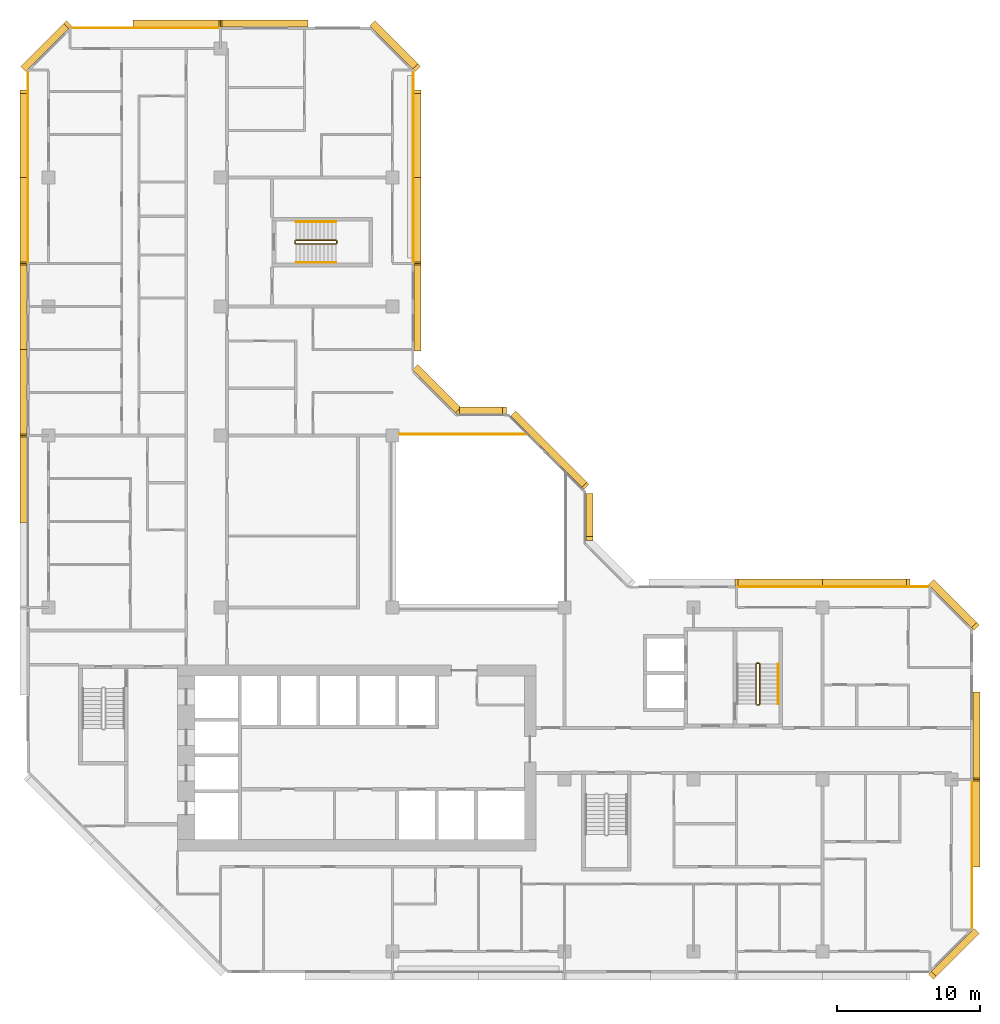
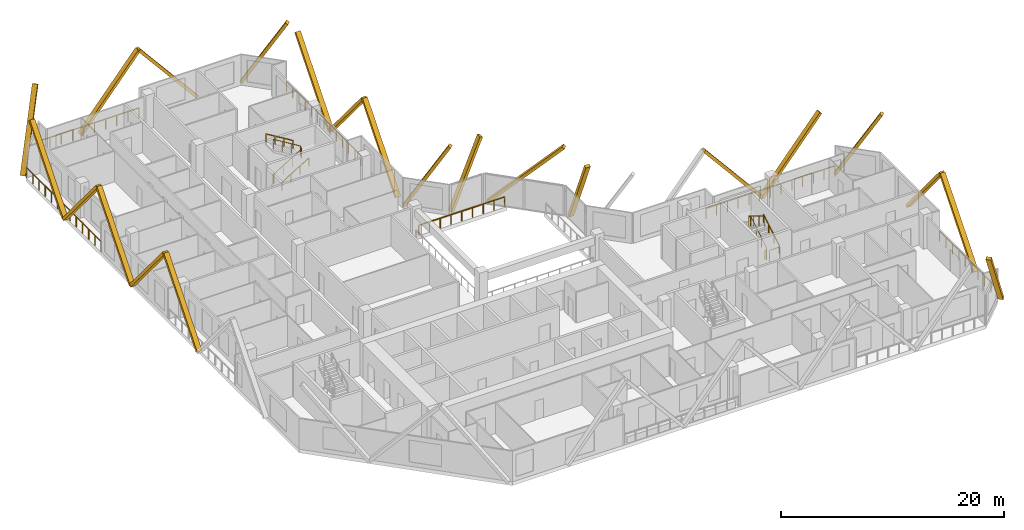
# One storey, part 14 of 14: 22 coverings, 11 railings.
"""IFC4 building model written with IfcOpenShell, lengths in metres."""

from ifc_helpers import new_model, si_unit, direction, frame, origin, origin_2d, place, context, subcontext, project, spatial, rectangle, extrude, material, material_profile, profile_set, type_object, element, save


model = new_model("IFC4")

# Units and contexts
model_context = context("Model", 3, precision=1e-05, world=origin(), true_north=direction((0.0, 1.0)))
body_context = subcontext(model_context, "Body", "Model", "MODEL_VIEW")
ifc_project = project(units=[si_unit("LENGTHUNIT", "METRE"), si_unit("AREAUNIT", "SQUARE_METRE"), si_unit("VOLUMEUNIT", "CUBIC_METRE"), si_unit("PLANEANGLEUNIT", "RADIAN"), si_unit("MASSUNIT", "GRAM", prefix="KILO")], contexts=[model_context])

# Site, building, storey
site_placement = place(None, origin())
site = spatial("IfcSite", under=ifc_project, at=site_placement, CompositionType="ELEMENT")
building_placement = place(site_placement, origin())
building = spatial("IfcBuilding", under=site, at=building_placement, Name="Chenar Terraces", CompositionType="ELEMENT")
storey_placement = place(building_placement, frame((0.0, 0.0, 157.39990234375)))
storey = spatial("IfcBuildingStorey", under=building, at=storey_placement, Name="L35", CompositionType="ELEMENT", Elevation=157.39990234375)

# Railings
ifc_material_1 = material(Name="Powder-coated steel", Category="steel")
railing_type_1 = type_object("IfcRailingType", Name="Guard 1100 steel rail with glass infill", PredefinedType="GUARDRAIL", material=ifc_material_1)
railing_1_placement = place(storey_placement, frame((24.5, 36.10009765625, 0.0)))
element("IfcRailing", 1, at=railing_1_placement, inside=storey, type_object=railing_type_1, Name="Guard L35-2", PredefinedType="GUARDRAIL", context=body_context, shape_type="SweptSolid", body=[
    extrude(rectangle(XDim=0.06005859375, YDim=0.06005859375, at=origin_2d()), frame((0.0, 0.0, 1.070068359375), z_axis=(1.0, 0.0, 0.0), x_axis=(0.0, 1.0, 0.0)), (0.0, 0.0, 1.0), 8.89990234375),
    extrude(rectangle(XDim=0.050048828125, YDim=0.050048828125, at=origin_2d()), origin(), (0.0, 0.0, 1.0), 1.0400390625),
    extrude(rectangle(XDim=0.050048828125, YDim=0.050048828125, at=origin_2d()), frame((1.112548828125, 0.0, 0.0)), (0.0, 0.0, 1.0), 1.0400390625),
    extrude(rectangle(XDim=0.050048828125, YDim=0.050048828125, at=origin_2d()), frame((2.22509765625, 0.0, 0.0)), (0.0, 0.0, 1.0), 1.0400390625),
    extrude(rectangle(XDim=0.050048828125, YDim=0.050048828125, at=origin_2d()), frame((3.33740234375, 0.0, 0.0)), (0.0, 0.0, 1.0), 1.0400390625),
    extrude(rectangle(XDim=0.050048828125, YDim=0.050048828125, at=origin_2d()), frame((4.449951171875, 0.0, 0.0)), (0.0, 0.0, 1.0), 1.0400390625),
    extrude(rectangle(XDim=0.050048828125, YDim=0.050048828125, at=origin_2d()), frame((5.5625, 0.0, 0.0)), (0.0, 0.0, 1.0), 1.0400390625),
    extrude(rectangle(XDim=0.050048828125, YDim=0.050048828125, at=origin_2d()), frame((6.6748046875, 0.0, 0.0)), (0.0, 0.0, 1.0), 1.0400390625),
    extrude(rectangle(XDim=0.050048828125, YDim=0.050048828125, at=origin_2d()), frame((7.787353515625, 0.0, 0.0)), (0.0, 0.0, 1.0), 1.0400390625),
    extrude(rectangle(XDim=0.050048828125, YDim=0.050048828125, at=origin_2d()), frame((8.89990234375, 0.0, 0.0)), (0.0, 0.0, 1.0), 1.0400390625),
])
ifc_material_2 = material(Name="Stainless steel and glass", Category="steel")
railing_type_2 = type_object("IfcRailingType", Name="Loggia guard 1150", PredefinedType="GUARDRAIL", material=ifc_material_2)
railing_2_placement = place(storey_placement, frame((25.449951171875, 48.074951171875, 0.0)))
element("IfcRailing", 2, at=railing_2_placement, inside=storey, type_object=railing_type_2, Name="Loggia guard", PredefinedType="GUARDRAIL", context=body_context, shape_type="SweptSolid", body=[
    extrude(rectangle(XDim=0.048095703125, YDim=0.048095703125, at=origin_2d()), frame((0.0, 0.0, 1.1259765625), z_axis=(0.0, 1.0, 0.0), x_axis=(-1.0, 0.0, 0.0)), (0.0, 0.0, 1.0), 13.35009765625),
    extrude(rectangle(XDim=0.0419921875, YDim=0.0419921875, at=origin_2d()), origin(), (0.0, 0.0, 1.0), 1.101806640625),
    extrude(rectangle(XDim=0.0419921875, YDim=0.0419921875, at=origin_2d()), frame((0.0, 1.112548828125, 0.0)), (0.0, 0.0, 1.0), 1.101806640625),
    extrude(rectangle(XDim=0.0419921875, YDim=0.0419921875, at=origin_2d()), frame((0.0, 2.22509765625, 0.0)), (0.0, 0.0, 1.0), 1.101806640625),
    extrude(rectangle(XDim=0.0419921875, YDim=0.0419921875, at=origin_2d()), frame((0.0, 3.33740234375, 0.0)), (0.0, 0.0, 1.0), 1.101806640625),
    extrude(rectangle(XDim=0.0419921875, YDim=0.0419921875, at=origin_2d()), frame((0.0, 4.449951171875, 0.0)), (0.0, 0.0, 1.0), 1.101806640625),
    extrude(rectangle(XDim=0.0419921875, YDim=0.0419921875, at=origin_2d()), frame((0.0, 5.5625, 0.0)), (0.0, 0.0, 1.0), 1.101806640625),
    extrude(rectangle(XDim=0.0419921875, YDim=0.0419921875, at=origin_2d()), frame((0.0, 6.675048828125, 0.0)), (0.0, 0.0, 1.0), 1.101806640625),
    extrude(rectangle(XDim=0.0419921875, YDim=0.0419921875, at=origin_2d()), frame((0.0, 7.78759765625, 0.0)), (0.0, 0.0, 1.0), 1.101806640625),
    extrude(rectangle(XDim=0.0419921875, YDim=0.0419921875, at=origin_2d()), frame((0.0, 8.900146484375, 0.0)), (0.0, 0.0, 1.0), 1.101806640625),
    extrude(rectangle(XDim=0.0419921875, YDim=0.0419921875, at=origin_2d()), frame((0.0, 10.0126953125, 0.0)), (0.0, 0.0, 1.0), 1.101806640625),
    extrude(rectangle(XDim=0.0419921875, YDim=0.0419921875, at=origin_2d()), frame((0.0, 11.125, 0.0)), (0.0, 0.0, 1.0), 1.101806640625),
    extrude(rectangle(XDim=0.0419921875, YDim=0.0419921875, at=origin_2d()), frame((0.0, 12.237548828125, 0.0)), (0.0, 0.0, 1.0), 1.101806640625),
    extrude(rectangle(XDim=0.0419921875, YDim=0.0419921875, at=origin_2d()), frame((0.0, 13.35009765625, 0.0)), (0.0, 0.0, 1.0), 1.101806640625),
])
railing_3_placement = place(storey_placement, frame((64.449951171875, 1.574951171875, 0.0)))
element("IfcRailing", 3, at=railing_3_placement, inside=storey, type_object=railing_type_2, Name="Loggia guard", PredefinedType="GUARDRAIL", context=body_context, shape_type="SweptSolid", body=[
    extrude(rectangle(XDim=0.048095703125, YDim=0.048095703125, at=origin_2d()), frame((0.0, 0.0, 1.1259765625), z_axis=(0.0, 1.0, 0.0), x_axis=(-1.0, 0.0, 0.0)), (0.0, 0.0, 1.0), 10.35009765625),
    extrude(rectangle(XDim=0.0419921875, YDim=0.0419921875, at=origin_2d()), origin(), (0.0, 0.0, 1.0), 1.101806640625),
    extrude(rectangle(XDim=0.0419921875, YDim=0.0419921875, at=origin_2d()), frame((0.0, 1.14990234375, 0.0)), (0.0, 0.0, 1.0), 1.101806640625),
    extrude(rectangle(XDim=0.0419921875, YDim=0.0419921875, at=origin_2d()), frame((0.0, 2.300048828125, 0.0)), (0.0, 0.0, 1.0), 1.101806640625),
    extrude(rectangle(XDim=0.0419921875, YDim=0.0419921875, at=origin_2d()), frame((0.0, 3.449951171875, 0.0)), (0.0, 0.0, 1.0), 1.101806640625),
    extrude(rectangle(XDim=0.0419921875, YDim=0.0419921875, at=origin_2d()), frame((0.0, 4.60009765625, 0.0)), (0.0, 0.0, 1.0), 1.101806640625),
    extrude(rectangle(XDim=0.0419921875, YDim=0.0419921875, at=origin_2d()), frame((0.0, 5.75, 0.0)), (0.0, 0.0, 1.0), 1.101806640625),
    extrude(rectangle(XDim=0.0419921875, YDim=0.0419921875, at=origin_2d()), frame((0.0, 6.900146484375, 0.0)), (0.0, 0.0, 1.0), 1.101806640625),
    extrude(rectangle(XDim=0.0419921875, YDim=0.0419921875, at=origin_2d()), frame((0.0, 8.050048828125, 0.0)), (0.0, 0.0, 1.0), 1.101806640625),
    extrude(rectangle(XDim=0.0419921875, YDim=0.0419921875, at=origin_2d()), frame((0.0, 9.2001953125, 0.0)), (0.0, 0.0, 1.0), 1.101806640625),
    extrude(rectangle(XDim=0.0419921875, YDim=0.0419921875, at=origin_2d()), frame((0.0, 10.35009765625, 0.0)), (0.0, 0.0, 1.0), 1.101806640625),
])
railing_4_placement = place(storey_placement, frame((61.425048828125, 25.449951171875, 0.0)))
element("IfcRailing", 4, at=railing_4_placement, inside=storey, type_object=railing_type_2, Name="Loggia guard", PredefinedType="GUARDRAIL", context=body_context, shape_type="SweptSolid", body=[
    extrude(rectangle(XDim=0.048095703125, YDim=0.048095703125, at=origin_2d()), frame((0.0, 0.0, 1.1259765625), z_axis=(-1.0, 0.0, 0.0), x_axis=(0.0, -1.0, 0.0)), (0.0, 0.0, 1.0), 13.35009765625),
    extrude(rectangle(XDim=0.0419921875, YDim=0.0419921875, at=origin_2d()), origin(), (0.0, 0.0, 1.0), 1.101806640625),
    extrude(rectangle(XDim=0.0419921875, YDim=0.0419921875, at=origin_2d()), frame((-1.112548828125, 0.0, 0.0)), (0.0, 0.0, 1.0), 1.101806640625),
    extrude(rectangle(XDim=0.0419921875, YDim=0.0419921875, at=origin_2d()), frame((-2.22509765625, 0.0, 0.0)), (0.0, 0.0, 1.0), 1.101806640625),
    extrude(rectangle(XDim=0.0419921875, YDim=0.0419921875, at=origin_2d()), frame((-3.33740234375, 0.0, 0.0)), (0.0, 0.0, 1.0), 1.101806640625),
    extrude(rectangle(XDim=0.0419921875, YDim=0.0419921875, at=origin_2d()), frame((-4.449951171875, 0.0, 0.0)), (0.0, 0.0, 1.0), 1.101806640625),
    extrude(rectangle(XDim=0.0419921875, YDim=0.0419921875, at=origin_2d()), frame((-5.5625, 0.0, 0.0)), (0.0, 0.0, 1.0), 1.101806640625),
    extrude(rectangle(XDim=0.0419921875, YDim=0.0419921875, at=origin_2d()), frame((-6.675048828125, 0.0, 0.0)), (0.0, 0.0, 1.0), 1.101806640625),
    extrude(rectangle(XDim=0.0419921875, YDim=0.0419921875, at=origin_2d()), frame((-7.78759765625, 0.0, 0.0)), (0.0, 0.0, 1.0), 1.101806640625),
    extrude(rectangle(XDim=0.0419921875, YDim=0.0419921875, at=origin_2d()), frame((-8.900146484375, 0.0, 0.0)), (0.0, 0.0, 1.0), 1.101806640625),
    extrude(rectangle(XDim=0.0419921875, YDim=0.0419921875, at=origin_2d()), frame((-10.0126953125, 0.0, 0.0)), (0.0, 0.0, 1.0), 1.101806640625),
    extrude(rectangle(XDim=0.0419921875, YDim=0.0419921875, at=origin_2d()), frame((-11.125, 0.0, 0.0)), (0.0, 0.0, 1.0), 1.101806640625),
    extrude(rectangle(XDim=0.0419921875, YDim=0.0419921875, at=origin_2d()), frame((-12.237548828125, 0.0, 0.0)), (0.0, 0.0, 1.0), 1.101806640625),
    extrude(rectangle(XDim=0.0419921875, YDim=0.0419921875, at=origin_2d()), frame((-13.35009765625, 0.0, 0.0)), (0.0, 0.0, 1.0), 1.101806640625),
])
railing_5_placement = place(storey_placement, frame((11.925048828125, 64.449951171875, 0.0)))
element("IfcRailing", 5, at=railing_5_placement, inside=storey, type_object=railing_type_2, Name="Loggia guard", PredefinedType="GUARDRAIL", context=body_context, shape_type="SweptSolid", body=[
    extrude(rectangle(XDim=0.048095703125, YDim=0.048095703125, at=origin_2d()), frame((0.0, 0.0, 1.1259765625), z_axis=(-1.0, 0.0, 0.0), x_axis=(0.0, -1.0, 0.0)), (0.0, 0.0, 1.0), 10.35009765625),
    extrude(rectangle(XDim=0.0419921875, YDim=0.0419921875, at=origin_2d()), origin(), (0.0, 0.0, 1.0), 1.101806640625),
    extrude(rectangle(XDim=0.0419921875, YDim=0.0419921875, at=origin_2d()), frame((-1.14990234375, 0.0, 0.0)), (0.0, 0.0, 1.0), 1.101806640625),
    extrude(rectangle(XDim=0.0419921875, YDim=0.0419921875, at=origin_2d()), frame((-2.300048828125, 0.0, 0.0)), (0.0, 0.0, 1.0), 1.101806640625),
    extrude(rectangle(XDim=0.0419921875, YDim=0.0419921875, at=origin_2d()), frame((-3.449951171875, 0.0, 0.0)), (0.0, 0.0, 1.0), 1.101806640625),
    extrude(rectangle(XDim=0.0419921875, YDim=0.0419921875, at=origin_2d()), frame((-4.60009765625, 0.0, 0.0)), (0.0, 0.0, 1.0), 1.101806640625),
    extrude(rectangle(XDim=0.0419921875, YDim=0.0419921875, at=origin_2d()), frame((-5.75, 0.0, 0.0)), (0.0, 0.0, 1.0), 1.101806640625),
    extrude(rectangle(XDim=0.0419921875, YDim=0.0419921875, at=origin_2d()), frame((-6.900146484375, 0.0, 0.0)), (0.0, 0.0, 1.0), 1.101806640625),
    extrude(rectangle(XDim=0.0419921875, YDim=0.0419921875, at=origin_2d()), frame((-8.050048828125, 0.0, 0.0)), (0.0, 0.0, 1.0), 1.101806640625),
    extrude(rectangle(XDim=0.0419921875, YDim=0.0419921875, at=origin_2d()), frame((-9.2001953125, 0.0, 0.0)), (0.0, 0.0, 1.0), 1.101806640625),
    extrude(rectangle(XDim=0.0419921875, YDim=0.0419921875, at=origin_2d()), frame((-10.35009765625, 0.0, 0.0)), (0.0, 0.0, 1.0), 1.101806640625),
])
railing_6_placement = place(storey_placement, frame((-1.449951171875, 61.425048828125, 0.0)))
element("IfcRailing", 6, at=railing_6_placement, inside=storey, type_object=railing_type_2, Name="Loggia guard", PredefinedType="GUARDRAIL", context=body_context, shape_type="SweptSolid", body=[
    extrude(rectangle(XDim=0.048095703125, YDim=0.048095703125, at=origin_2d()), frame((0.0, 0.0, 1.1259765625), z_axis=(0.0, -1.0, 0.0), x_axis=(1.0, 0.0, 0.0)), (0.0, 0.0, 1.0), 13.35009765625),
    extrude(rectangle(XDim=0.0419921875, YDim=0.0419921875, at=origin_2d()), origin(), (0.0, 0.0, 1.0), 1.101806640625),
    extrude(rectangle(XDim=0.0419921875, YDim=0.0419921875, at=origin_2d()), frame((0.0, -1.112548828125, 0.0)), (0.0, 0.0, 1.0), 1.101806640625),
    extrude(rectangle(XDim=0.0419921875, YDim=0.0419921875, at=origin_2d()), frame((0.0, -2.22509765625, 0.0)), (0.0, 0.0, 1.0), 1.101806640625),
    extrude(rectangle(XDim=0.0419921875, YDim=0.0419921875, at=origin_2d()), frame((0.0, -3.33740234375, 0.0)), (0.0, 0.0, 1.0), 1.101806640625),
    extrude(rectangle(XDim=0.0419921875, YDim=0.0419921875, at=origin_2d()), frame((0.0, -4.449951171875, 0.0)), (0.0, 0.0, 1.0), 1.101806640625),
    extrude(rectangle(XDim=0.0419921875, YDim=0.0419921875, at=origin_2d()), frame((0.0, -5.5625, 0.0)), (0.0, 0.0, 1.0), 1.101806640625),
    extrude(rectangle(XDim=0.0419921875, YDim=0.0419921875, at=origin_2d()), frame((0.0, -6.675048828125, 0.0)), (0.0, 0.0, 1.0), 1.101806640625),
    extrude(rectangle(XDim=0.0419921875, YDim=0.0419921875, at=origin_2d()), frame((0.0, -7.78759765625, 0.0)), (0.0, 0.0, 1.0), 1.101806640625),
    extrude(rectangle(XDim=0.0419921875, YDim=0.0419921875, at=origin_2d()), frame((0.0, -8.900146484375, 0.0)), (0.0, 0.0, 1.0), 1.101806640625),
    extrude(rectangle(XDim=0.0419921875, YDim=0.0419921875, at=origin_2d()), frame((0.0, -10.0126953125, 0.0)), (0.0, 0.0, 1.0), 1.101806640625),
    extrude(rectangle(XDim=0.0419921875, YDim=0.0419921875, at=origin_2d()), frame((0.0, -11.125, 0.0)), (0.0, 0.0, 1.0), 1.101806640625),
    extrude(rectangle(XDim=0.0419921875, YDim=0.0419921875, at=origin_2d()), frame((0.0, -12.237548828125, 0.0)), (0.0, 0.0, 1.0), 1.101806640625),
    extrude(rectangle(XDim=0.0419921875, YDim=0.0419921875, at=origin_2d()), frame((0.0, -13.35009765625, 0.0)), (0.0, 0.0, 1.0), 1.101806640625),
])
ifc_material_3 = material(Name="Powder-coated steel", Category="steel")
railing_type_3 = type_object("IfcRailingType", Name="Stair guard 1100", PredefinedType="GUARDRAIL", material=ifc_material_3)
railing_7_placement = place(storey_placement, frame((49.375, 17.25, 3.75)))
element("IfcRailing", 7, at=railing_7_placement, inside=storey, type_object=railing_type_3, Name="L35 ST3 stair guard 1", PredefinedType="GUARDRAIL", context=body_context, shape_type="SweptSolid", body=[
    extrude(rectangle(XDim=0.048095703125, YDim=0.048095703125, at=origin_2d()), frame((0.0, 0.0, 1.076171875), z_axis=(0.0, 0.854202870247, -0.519939858505), x_axis=(-1.0, 0.0, 0.0)), (0.0, 0.0, 1.0), 3.278076171875),
    extrude(rectangle(XDim=0.048095703125, YDim=0.048095703125, at=origin_2d()), frame((0.0, 2.800048828125, -0.62841796875), z_axis=(0.270899902878, 0.270899902878, -0.923702595667), x_axis=(-0.707106781187, 0.707106781187, 0.0)), (0.0, 0.0, 1.0), 0.184814453125),
    extrude(rectangle(XDim=0.048095703125, YDim=0.048095703125, at=origin_2d()), frame((0.050048828125, 2.85009765625, -0.798828125), z_axis=(1.0, 0.0, 0.0), x_axis=(0.0, 1.0, 0.0)), (0.0, 0.0, 1.0), 0.14990234375),
    extrude(rectangle(XDim=0.048095703125, YDim=0.048095703125, at=origin_2d()), frame((0.199951171875, 2.85009765625, -0.798828125), z_axis=(0.707106781187, -0.707106781187, 0.0), x_axis=(0.707106781187, 0.707106781187, 0.0)), (0.0, 0.0, 1.0), 0.07080078125),
    extrude(rectangle(XDim=0.048095703125, YDim=0.048095703125, at=origin_2d()), frame((0.25, 2.800048828125, -0.798828125), z_axis=(0.0, -0.854202870247, -0.519939858505), x_axis=(1.0, 0.0, 0.0)), (0.0, 0.0, 1.0), 3.278076171875),
    extrude(rectangle(XDim=0.048095703125, YDim=0.048095703125, at=origin_2d()), frame((0.25, 0.0, -2.50341796875), z_axis=(-0.270899902878, -0.270899902878, -0.923702595667), x_axis=(0.707106781187, -0.707106781187, 0.0)), (0.0, 0.0, 1.0), 0.184814453125),
    extrude(rectangle(XDim=0.048095703125, YDim=0.048095703125, at=origin_2d()), frame((0.199951171875, -0.050048828125, -2.673828125), z_axis=(-1.0, 0.0, 0.0), x_axis=(0.0, -1.0, 0.0)), (0.0, 0.0, 1.0), 0.14990234375),
    extrude(rectangle(XDim=0.0419921875, YDim=0.0419921875, at=origin_2d()), origin(), (0.0, 0.0, 1.0), 1.052001953125),
    extrude(rectangle(XDim=0.0419921875, YDim=0.0419921875, at=origin_2d()), frame((0.0, 0.933349609375, -0.568115234375)), (0.0, 0.0, 1.0), 1.052001953125),
    extrude(rectangle(XDim=0.0419921875, YDim=0.0419921875, at=origin_2d()), frame((0.0, 1.86669921875, -1.13623046875)), (0.0, 0.0, 1.0), 1.052001953125),
    extrude(rectangle(XDim=0.0419921875, YDim=0.0419921875, at=origin_2d()), frame((0.0, 2.800048828125, -1.704345703125)), (0.0, 0.0, 1.0), 1.052001953125),
    extrude(rectangle(XDim=0.0419921875, YDim=0.0419921875, at=origin_2d()), frame((0.050048828125, 2.85009765625, -1.875)), (0.0, 0.0, 1.0), 1.052001953125),
    extrude(rectangle(XDim=0.0419921875, YDim=0.0419921875, at=origin_2d()), frame((0.199951171875, 2.85009765625, -1.875)), (0.0, 0.0, 1.0), 1.052001953125),
    extrude(rectangle(XDim=0.0419921875, YDim=0.0419921875, at=origin_2d()), frame((0.25, 2.800048828125, -1.875)), (0.0, 0.0, 1.0), 1.052001953125),
    extrude(rectangle(XDim=0.0419921875, YDim=0.0419921875, at=origin_2d()), frame((0.25, 1.86669921875, -2.443115234375)), (0.0, 0.0, 1.0), 1.052001953125),
    extrude(rectangle(XDim=0.0419921875, YDim=0.0419921875, at=origin_2d()), frame((0.25, 0.933349609375, -3.01123046875)), (0.0, 0.0, 1.0), 1.052001953125),
    extrude(rectangle(XDim=0.0419921875, YDim=0.0419921875, at=origin_2d()), frame((0.25, 0.0, -3.579345703125)), (0.0, 0.0, 1.0), 1.052001953125),
    extrude(rectangle(XDim=0.0419921875, YDim=0.0419921875, at=origin_2d()), frame((0.199951171875, -0.050048828125, -3.75)), (0.0, 0.0, 1.0), 1.052001953125),
    extrude(rectangle(XDim=0.0419921875, YDim=0.0419921875, at=origin_2d()), frame((0.050048828125, -0.050048828125, -3.75)), (0.0, 0.0, 1.0), 1.052001953125),
])
railing_8_placement = place(storey_placement, frame((17.25, 49.625, 3.75)))
element("IfcRailing", 8, at=railing_8_placement, inside=storey, type_object=railing_type_3, Name="L35 ST4 stair guard 1", PredefinedType="GUARDRAIL", context=body_context, shape_type="SweptSolid", body=[
    extrude(rectangle(XDim=0.048095703125, YDim=0.048095703125, at=origin_2d()), frame((0.0, 0.0, 1.076171875), z_axis=(0.854202870247, 0.0, -0.519939858505), x_axis=(0.0, 1.0, 0.0)), (0.0, 0.0, 1.0), 3.278076171875),
    extrude(rectangle(XDim=0.048095703125, YDim=0.048095703125, at=origin_2d()), frame((2.800048828125, 0.0, -0.62841796875), z_axis=(0.270899902878, -0.270899902878, -0.923702595667), x_axis=(0.707106781187, 0.707106781187, 0.0)), (0.0, 0.0, 1.0), 0.184814453125),
    extrude(rectangle(XDim=0.048095703125, YDim=0.048095703125, at=origin_2d()), frame((2.85009765625, -0.050048828125, -0.798828125), z_axis=(0.0, -1.0, 0.0), x_axis=(1.0, 0.0, 0.0)), (0.0, 0.0, 1.0), 0.14990234375),
    extrude(rectangle(XDim=0.048095703125, YDim=0.048095703125, at=origin_2d()), frame((2.85009765625, -0.199951171875, -0.798828125), z_axis=(-0.707106781187, -0.707106781187, 0.0), x_axis=(0.707106781187, -0.707106781187, 0.0)), (0.0, 0.0, 1.0), 0.07080078125),
    extrude(rectangle(XDim=0.048095703125, YDim=0.048095703125, at=origin_2d()), frame((2.800048828125, -0.25, -0.798828125), z_axis=(-0.854202870247, 0.0, -0.519939858505), x_axis=(0.0, -1.0, 0.0)), (0.0, 0.0, 1.0), 3.278076171875),
    extrude(rectangle(XDim=0.048095703125, YDim=0.048095703125, at=origin_2d()), frame((0.0, -0.25, -2.50341796875), z_axis=(-0.270899902878, 0.270899902878, -0.923702595667), x_axis=(-0.707106781187, -0.707106781187, 0.0)), (0.0, 0.0, 1.0), 0.184814453125),
    extrude(rectangle(XDim=0.048095703125, YDim=0.048095703125, at=origin_2d()), frame((-0.050048828125, -0.199951171875, -2.673828125), z_axis=(0.0, 1.0, 0.0), x_axis=(-1.0, 0.0, 0.0)), (0.0, 0.0, 1.0), 0.14990234375),
    extrude(rectangle(XDim=0.0419921875, YDim=0.0419921875, at=origin_2d()), origin(), (0.0, 0.0, 1.0), 1.052001953125),
    extrude(rectangle(XDim=0.0419921875, YDim=0.0419921875, at=origin_2d()), frame((0.933349609375, 0.0, -0.568115234375)), (0.0, 0.0, 1.0), 1.052001953125),
    extrude(rectangle(XDim=0.0419921875, YDim=0.0419921875, at=origin_2d()), frame((1.86669921875, 0.0, -1.13623046875)), (0.0, 0.0, 1.0), 1.052001953125),
    extrude(rectangle(XDim=0.0419921875, YDim=0.0419921875, at=origin_2d()), frame((2.800048828125, 0.0, -1.704345703125)), (0.0, 0.0, 1.0), 1.052001953125),
    extrude(rectangle(XDim=0.0419921875, YDim=0.0419921875, at=origin_2d()), frame((2.85009765625, -0.050048828125, -1.875)), (0.0, 0.0, 1.0), 1.052001953125),
    extrude(rectangle(XDim=0.0419921875, YDim=0.0419921875, at=origin_2d()), frame((2.85009765625, -0.199951171875, -1.875)), (0.0, 0.0, 1.0), 1.052001953125),
    extrude(rectangle(XDim=0.0419921875, YDim=0.0419921875, at=origin_2d()), frame((2.800048828125, -0.25, -1.875)), (0.0, 0.0, 1.0), 1.052001953125),
    extrude(rectangle(XDim=0.0419921875, YDim=0.0419921875, at=origin_2d()), frame((1.86669921875, -0.25, -2.443115234375)), (0.0, 0.0, 1.0), 1.052001953125),
    extrude(rectangle(XDim=0.0419921875, YDim=0.0419921875, at=origin_2d()), frame((0.933349609375, -0.25, -3.01123046875)), (0.0, 0.0, 1.0), 1.052001953125),
    extrude(rectangle(XDim=0.0419921875, YDim=0.0419921875, at=origin_2d()), frame((0.0, -0.25, -3.579345703125)), (0.0, 0.0, 1.0), 1.052001953125),
    extrude(rectangle(XDim=0.0419921875, YDim=0.0419921875, at=origin_2d()), frame((-0.050048828125, -0.199951171875, -3.75)), (0.0, 0.0, 1.0), 1.052001953125),
    extrude(rectangle(XDim=0.0419921875, YDim=0.0419921875, at=origin_2d()), frame((-0.050048828125, -0.050048828125, -3.75)), (0.0, 0.0, 1.0), 1.052001953125),
])
ifc_material_4 = material(Name="Powder-coated steel", Category="steel")
railing_type_4 = type_object("IfcRailingType", Name="Stair handrail 900", PredefinedType="HANDRAIL", material=ifc_material_4)
railing_9_placement = place(storey_placement, frame((50.925048828125, 17.25, 0.170654296875)))
element("IfcRailing", 9, at=railing_9_placement, inside=storey, type_object=railing_type_4, Name="L35 ST3 stair handrail 1", PredefinedType="HANDRAIL", context=body_context, shape_type="SweptSolid", body=[
    extrude(rectangle(XDim=0.048095703125, YDim=0.048095703125, at=origin_2d()), frame((0.0, 0.0, 0.8759765625), z_axis=(0.0, 0.854202870247, 0.519939858505), x_axis=(-1.0, 0.0, 0.0)), (0.0, 0.0, 1.0), 3.278076171875),
    extrude(rectangle(XDim=0.0419921875, YDim=0.0419921875, at=origin_2d()), origin(), (0.0, 0.0, 1.0), 0.851806640625),
    extrude(rectangle(XDim=0.0419921875, YDim=0.0419921875, at=origin_2d()), frame((0.0, 0.933349609375, 0.568115234375)), (0.0, 0.0, 1.0), 0.851806640625),
    extrude(rectangle(XDim=0.0419921875, YDim=0.0419921875, at=origin_2d()), frame((0.0, 1.86669921875, 1.13623046875)), (0.0, 0.0, 1.0), 0.851806640625),
    extrude(rectangle(XDim=0.0419921875, YDim=0.0419921875, at=origin_2d()), frame((0.0, 2.800048828125, 1.704345703125)), (0.0, 0.0, 1.0), 0.851806640625),
])
railing_10_placement = place(storey_placement, frame((17.25, 48.074951171875, 0.170654296875)))
element("IfcRailing", 10, at=railing_10_placement, inside=storey, type_object=railing_type_4, Name="L35 ST4 stair handrail 1", PredefinedType="HANDRAIL", context=body_context, shape_type="SweptSolid", body=[
    extrude(rectangle(XDim=0.048095703125, YDim=0.048095703125, at=origin_2d()), frame((0.0, 0.0, 0.8759765625), z_axis=(0.854202870247, 0.0, 0.519939858505), x_axis=(0.0, 1.0, 0.0)), (0.0, 0.0, 1.0), 3.278076171875),
    extrude(rectangle(XDim=0.0419921875, YDim=0.0419921875, at=origin_2d()), origin(), (0.0, 0.0, 1.0), 0.851806640625),
    extrude(rectangle(XDim=0.0419921875, YDim=0.0419921875, at=origin_2d()), frame((0.933349609375, 0.0, 0.568115234375)), (0.0, 0.0, 1.0), 0.851806640625),
    extrude(rectangle(XDim=0.0419921875, YDim=0.0419921875, at=origin_2d()), frame((1.86669921875, 0.0, 1.13623046875)), (0.0, 0.0, 1.0), 0.851806640625),
    extrude(rectangle(XDim=0.0419921875, YDim=0.0419921875, at=origin_2d()), frame((2.800048828125, 0.0, 1.704345703125)), (0.0, 0.0, 1.0), 0.851806640625),
])
railing_11_placement = place(storey_placement, frame((20.050048828125, 50.925048828125, 2.045654296875)))
element("IfcRailing", 11, at=railing_11_placement, inside=storey, type_object=railing_type_4, Name="L35 ST4 stair handrail 2", PredefinedType="HANDRAIL", context=body_context, shape_type="SweptSolid", body=[
    extrude(rectangle(XDim=0.048095703125, YDim=0.048095703125, at=origin_2d()), frame((0.0, 0.0, 0.8759765625), z_axis=(-0.854202870247, 0.0, 0.519939858505), x_axis=(0.0, -1.0, 0.0)), (0.0, 0.0, 1.0), 3.278076171875),
    extrude(rectangle(XDim=0.0419921875, YDim=0.0419921875, at=origin_2d()), origin(), (0.0, 0.0, 1.0), 0.851806640625),
    extrude(rectangle(XDim=0.0419921875, YDim=0.0419921875, at=origin_2d()), frame((-0.933349609375, 0.0, 0.568115234375)), (0.0, 0.0, 1.0), 0.851806640625),
    extrude(rectangle(XDim=0.0419921875, YDim=0.0419921875, at=origin_2d()), frame((-1.86669921875, 0.0, 1.13623046875)), (0.0, 0.0, 1.0), 0.851806640625),
    extrude(rectangle(XDim=0.0419921875, YDim=0.0419921875, at=origin_2d()), frame((-2.800048828125, 0.0, 1.704345703125)), (0.0, 0.0, 1.0), 0.851806640625),
])

# Coverings
ifc_material_5 = material(Name="Terracotta", Category="masonry")
ifc_material_profile = material_profile(ifc_material_5, rectangle(XDim=0.5, YDim=0.300048828125, at=origin_2d()), Name="Terracotta baguette 500 x 300")
ifc_profile_set = profile_set([ifc_material_profile], Name="Terracotta")
covering_type = type_object("IfcCoveringType", Name="Terracotta baguette 500 x 300", PredefinedType="CLADDING", material=ifc_profile_set)
for number, where, z_axis, x_axis, name in (
    (12, (60.0, 25.75, 7.35009765625), (-0.640186961885, 0.0, -0.768219144407), (0.0, -1.0, 0.0), "Terracotta baguette"),
    (13, (54.0, 25.75, 0.150146484375), (-0.640186961885, 0.0, 0.768219144407), (0.0, -1.0, 0.0), "Terracotta baguette"),
):
    element("IfcCovering", number, at=place(storey_placement, frame(where, z_axis=z_axis, x_axis=x_axis)), inside=storey, type_object=covering_type, Name=name, PredefinedType="CLADDING", context=body_context, shape_type="SweptSolid", body=[
        extrude(rectangle(XDim=0.5, YDim=0.300048828125, at=origin_2d()), origin(), (0.0, 0.0, 1.0), 9.372314453125),
    ])
covering_1_placement = place(storey_placement, frame((37.75, 28.800048828125, 7.35009765625), z_axis=(0.0, 0.384617607118, -0.923075997031), x_axis=(-1.0, 0.0, 0.0)))
element("IfcCovering", 14, at=covering_1_placement, inside=storey, type_object=covering_type, Name="Terracotta baguette", PredefinedType="CLADDING", context=body_context, shape_type="SweptSolid", body=[
    extrude(rectangle(XDim=0.5, YDim=0.300048828125, at=origin_2d()), origin(), (0.0, 0.0, 1.0), 7.800048828125),
])
covering_2_placement = place(storey_placement, frame((37.464599609375, 32.489013671875, 7.35009765625), z_axis=(-0.4942466441, 0.494222393737, -0.715167449151), x_axis=(-0.707089433343, -0.707124128605, 0.0)))
element("IfcCovering", 15, at=covering_2_placement, inside=storey, type_object=covering_type, Name="Terracotta baguette", PredefinedType="CLADDING", context=body_context, shape_type="SweptSolid", body=[
    extrude(rectangle(XDim=0.5, YDim=0.300048828125, at=origin_2d()), origin(), (0.0, 0.0, 1.0), 10.0673828125),
])
covering_3_placement = place(storey_placement, frame((31.800048828125, 37.75, 7.35009765625), z_axis=(-0.384617607118, 0.0, -0.923075997031), x_axis=(0.0, -1.0, 0.0)))
element("IfcCovering", 16, at=covering_3_placement, inside=storey, type_object=covering_type, Name="Terracotta baguette", PredefinedType="CLADDING", context=body_context, shape_type="SweptSolid", body=[
    extrude(rectangle(XDim=0.5, YDim=0.300048828125, at=origin_2d()), origin(), (0.0, 0.0, 1.0), 7.800048828125),
])
covering_4_placement = place(storey_placement, frame((28.6767578125, 37.6767578125, 7.35009765625), z_axis=(-0.358980886355, 0.358980886355, -0.861548284464), x_axis=(-0.707106781187, -0.707106781187, 0.0)))
element("IfcCovering", 17, at=covering_4_placement, inside=storey, type_object=covering_type, Name="Terracotta baguette", PredefinedType="CLADDING", context=body_context, shape_type="SweptSolid", body=[
    extrude(rectangle(XDim=0.5, YDim=0.300048828125, at=origin_2d()), origin(), (0.0, 0.0, 1.0), 8.35693359375),
])
for number, where, z_axis, x_axis, name in (
    (18, (25.75, 42.0, 0.150146484375), (0.0, 0.640186961885, 0.768219144407), (-1.0, 0.0, 0.0), "Terracotta baguette"),
    (19, (25.75, 48.0, 7.35009765625), (0.0, 0.640186961885, -0.768219144407), (-1.0, 0.0, 0.0), "Terracotta baguette"),
    (20, (25.75, 54.0, 0.150146484375), (0.0, 0.640186961885, 0.768219144407), (-1.0, 0.0, 0.0), "Terracotta baguette"),
):
    element("IfcCovering", number, at=place(storey_placement, frame(where, z_axis=z_axis, x_axis=x_axis)), inside=storey, type_object=covering_type, Name=name, PredefinedType="CLADDING", context=body_context, shape_type="SweptSolid", body=[
        extrude(rectangle(XDim=0.5, YDim=0.300048828125, at=origin_2d()), origin(), (0.0, 0.0, 1.0), 9.372314453125),
    ])
covering_5_placement = place(storey_placement, frame((25.6767578125, 61.6767578125, 7.35009765625), z_axis=(-0.358980886355, 0.358980886355, -0.861548284464), x_axis=(-0.707106781187, -0.707106781187, 0.0)))
element("IfcCovering", 21, at=covering_5_placement, inside=storey, type_object=covering_type, Name="Terracotta baguette", PredefinedType="CLADDING", context=body_context, shape_type="SweptSolid", body=[
    extrude(rectangle(XDim=0.5, YDim=0.300048828125, at=origin_2d()), origin(), (0.0, 0.0, 1.0), 8.35693359375),
])
for number, where, z_axis, x_axis, name in (
    (22, (18.0, 64.75, 0.150146484375), (-0.640186961885, 0.0, 0.768219144407), (0.0, -1.0, 0.0), "Terracotta baguette"),
    (23, (12.0, 64.75, 7.35009765625), (-0.640186961885, 0.0, -0.768219144407), (0.0, -1.0, 0.0), "Terracotta baguette"),
):
    element("IfcCovering", number, at=place(storey_placement, frame(where, z_axis=z_axis, x_axis=x_axis)), inside=storey, type_object=covering_type, Name=name, PredefinedType="CLADDING", context=body_context, shape_type="SweptSolid", body=[
        extrude(rectangle(XDim=0.5, YDim=0.300048828125, at=origin_2d()), origin(), (0.0, 0.0, 1.0), 9.372314453125),
    ])
covering_6_placement = place(storey_placement, frame((1.3232421875, 64.6767578125, 7.35009765625), z_axis=(-0.358980886355, -0.358980886355, -0.861548284464), x_axis=(0.707106781187, -0.707106781187, 0.0)))
element("IfcCovering", 24, at=covering_6_placement, inside=storey, type_object=covering_type, Name="Terracotta baguette", PredefinedType="CLADDING", context=body_context, shape_type="SweptSolid", body=[
    extrude(rectangle(XDim=0.5, YDim=0.300048828125, at=origin_2d()), origin(), (0.0, 0.0, 1.0), 8.35693359375),
])
for number, where, z_axis, x_axis, name in (
    (25, (-1.75, 60.0, 7.35009765625), (0.0, -0.640186961885, -0.768219144407), (1.0, 0.0, 0.0), "Terracotta baguette"),
    (26, (-1.75, 54.0, 0.150146484375), (0.0, -0.640186961885, 0.768219144407), (1.0, 0.0, 0.0), "Terracotta baguette"),
    (27, (-1.75, 48.0, 7.35009765625), (0.0, -0.640186961885, -0.768219144407), (1.0, 0.0, 0.0), "Terracotta baguette"),
    (28, (-1.75, 42.0, 0.150146484375), (0.0, -0.640186961885, 0.768219144407), (1.0, 0.0, 0.0), "Terracotta baguette"),
    (29, (-1.75, 36.0, 7.35009765625), (0.0, -0.640186961885, -0.768219144407), (1.0, 0.0, 0.0), "Terracotta baguette"),
):
    element("IfcCovering", number, at=place(storey_placement, frame(where, z_axis=z_axis, x_axis=x_axis)), inside=storey, type_object=covering_type, Name=name, PredefinedType="CLADDING", context=body_context, shape_type="SweptSolid", body=[
        extrude(rectangle(XDim=0.5, YDim=0.300048828125, at=origin_2d()), origin(), (0.0, 0.0, 1.0), 9.372314453125),
    ])
covering_7_placement = place(storey_placement, frame((61.6767578125, -1.6767578125, 7.35009765625), z_axis=(0.358980886355, 0.358980886355, -0.861548284464), x_axis=(-0.707106781187, 0.707106781187, 0.0)))
element("IfcCovering", 30, at=covering_7_placement, inside=storey, type_object=covering_type, Name="Terracotta baguette", PredefinedType="CLADDING", context=body_context, shape_type="SweptSolid", body=[
    extrude(rectangle(XDim=0.5, YDim=0.300048828125, at=origin_2d()), origin(), (0.0, 0.0, 1.0), 8.35693359375),
])
for number, where, z_axis, x_axis, name in (
    (31, (64.75, 6.0, 0.150146484375), (0.0, 0.640186961885, 0.768219144407), (-1.0, 0.0, 0.0), "Terracotta baguette"),
    (32, (64.75, 12.0, 7.35009765625), (0.0, 0.640186961885, -0.768219144407), (-1.0, 0.0, 0.0), "Terracotta baguette"),
):
    element("IfcCovering", number, at=place(storey_placement, frame(where, z_axis=z_axis, x_axis=x_axis)), inside=storey, type_object=covering_type, Name=name, PredefinedType="CLADDING", context=body_context, shape_type="SweptSolid", body=[
        extrude(rectangle(XDim=0.5, YDim=0.300048828125, at=origin_2d()), origin(), (0.0, 0.0, 1.0), 9.372314453125),
    ])
covering_8_placement = place(storey_placement, frame((64.6767578125, 22.6767578125, 7.35009765625), z_axis=(-0.358980886355, 0.358980886355, -0.861548284464), x_axis=(-0.707106781187, -0.707106781187, 0.0)))
element("IfcCovering", 33, at=covering_8_placement, inside=storey, type_object=covering_type, Name="Terracotta baguette", PredefinedType="CLADDING", context=body_context, shape_type="SweptSolid", body=[
    extrude(rectangle(XDim=0.5, YDim=0.300048828125, at=origin_2d()), origin(), (0.0, 0.0, 1.0), 8.35693359375),
])

save(model, "model.ifc")
